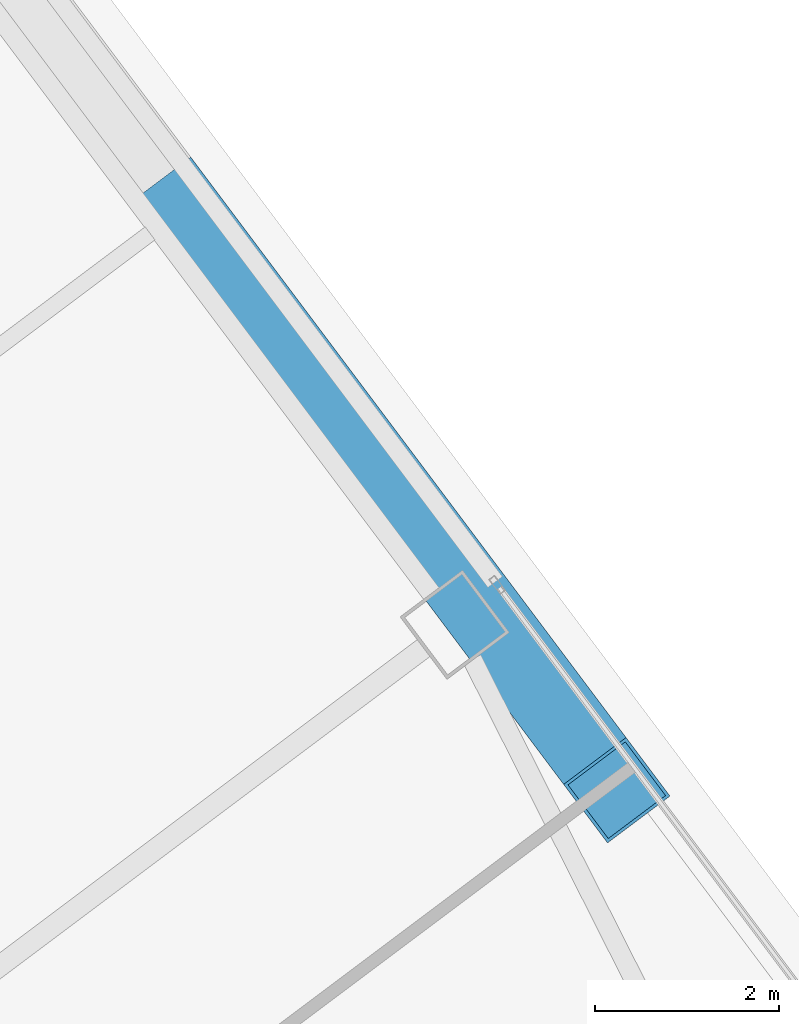
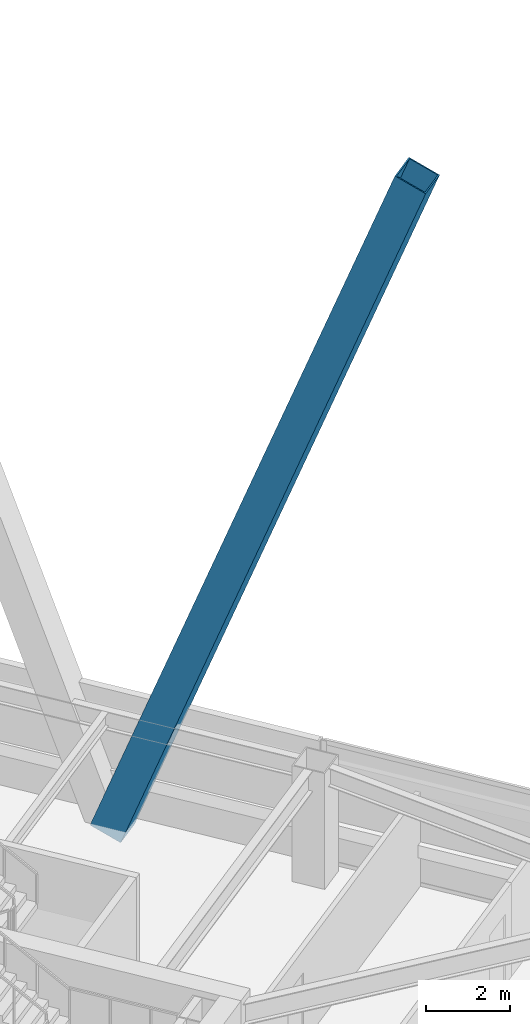
# One storey, part 31 of 50: 1 member.
"""IFC4 building model written with IfcOpenShell, lengths in metres."""

from ifc_helpers import new_model, si_unit, direction, frame, origin, origin_2d, place, context, subcontext, project, spatial, hollow_rectangle, extrude, material, material_profile, profile_set, type_object, element, save


model = new_model("IFC4")

# Units and contexts
model_context = context("Model", 3, precision=1e-05, world=origin(), true_north=direction((0.0, 1.0)))
body_context = subcontext(model_context, "Body", "Model", "MODEL_VIEW")
ifc_project = project(units=[si_unit("LENGTHUNIT", "METRE"), si_unit("AREAUNIT", "SQUARE_METRE"), si_unit("VOLUMEUNIT", "CUBIC_METRE"), si_unit("PLANEANGLEUNIT", "RADIAN"), si_unit("MASSUNIT", "GRAM", prefix="KILO")], contexts=[model_context])

# Site, building, storey
site_placement = place(None, origin())
site = spatial("IfcSite", under=ifc_project, at=site_placement, CompositionType="ELEMENT")
building_placement = place(site_placement, origin())
building = spatial("IfcBuilding", under=site, at=building_placement, Name="Tashvorn Skyway Center", CompositionType="ELEMENT")
storey_placement = place(building_placement, frame((0.0, 0.0, 114.39990234375)))
storey = spatial("IfcBuildingStorey", under=building, at=storey_placement, Name="L30", CompositionType="ELEMENT", Elevation=114.39990234375)

# Member
ifc_material = material(Name="Steel ASTM A572 Grade 50", Category="steel")
ifc_material_profile = material_profile(ifc_material, hollow_rectangle(XDim=0.85009765625, YDim=0.85009765625, WallThickness=0.034912109375, at=origin_2d()), Name="BOX850x850x35")
ifc_profile_set = profile_set([ifc_material_profile], Name="Steel ASTM A572 Grade 50")
member_type = type_object("IfcMemberType", Name="MEM-MB-850", PredefinedType="BRACE", material=ifc_profile_set)
member_placement = place(storey_placement, frame((128.384033203125, 42.7880859375, -0.199951171875), z_axis=(0.210819259224, -0.281095965158, 0.936237308759), x_axis=(0.800003708427, 0.599995055399, 0.0)))
element("IfcMember", 1, at=member_placement, inside=storey, type_object=member_type, Name="Tower 2 Zone 3 E Chevron Mega-Brace L1", PredefinedType="BRACE", context=body_context, shape_type="SweptSolid", body=[
    extrude(hollow_rectangle(XDim=0.85009765625, YDim=0.85009765625, WallThickness=0.034912109375, at=origin_2d()), origin(), (0.0, 0.0, 1.0), 22.483642578125),
])

save(model, "model.ifc")
